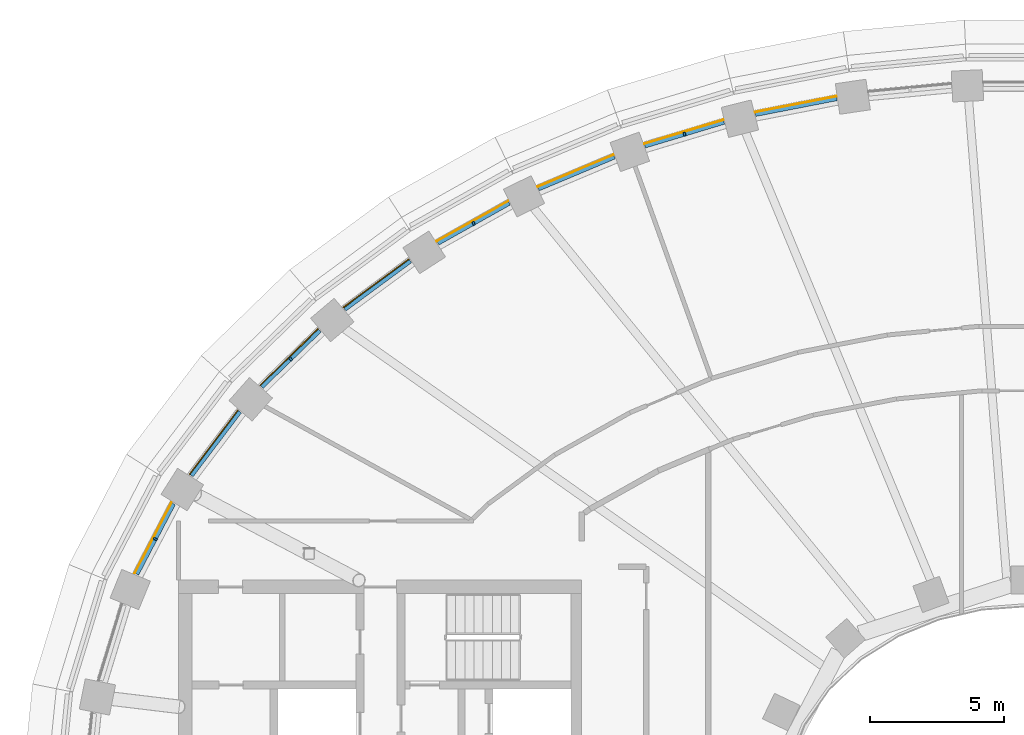
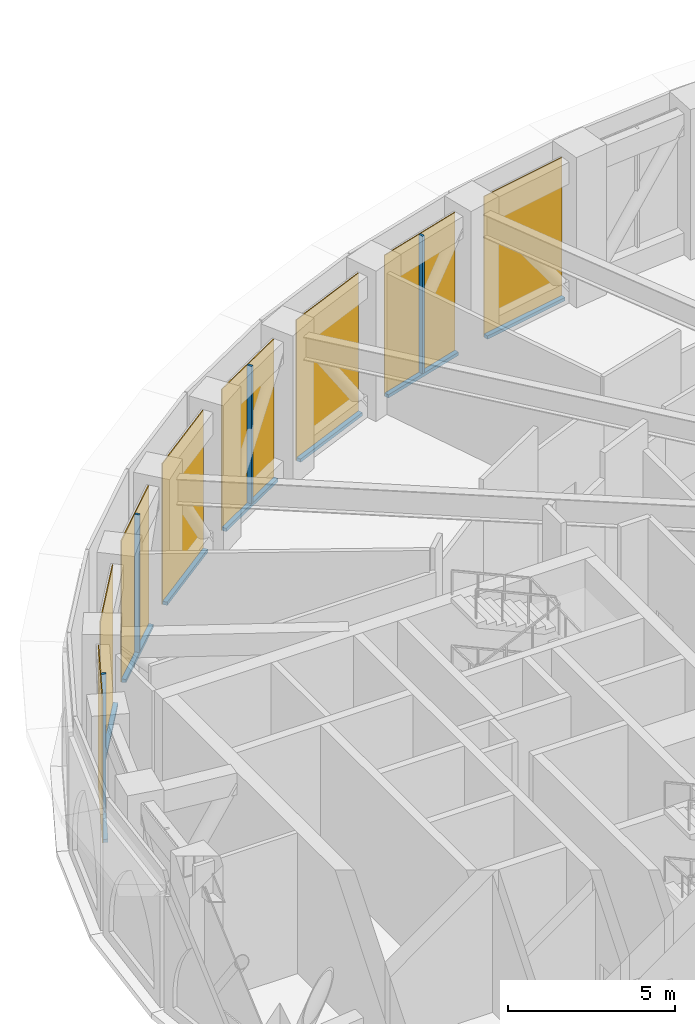
# One storey, part 16 of 25: 12 members, 8 curtain walls.
"""IFC4 building model written with IfcOpenShell, lengths in metres."""

from ifc_helpers import new_model, si_unit, direction, frame, origin, origin_2d, place, context, subcontext, project, spatial, polyline, rectangle, outline, extrude, material, layer, layer_set, material_profile, profile_set, type_object, element, aggregate, save


model = new_model("IFC4")

# Units and contexts
model_context = context("Model", 3, precision=1e-05, world=origin(), true_north=direction((0.0, 1.0)))
body_context = subcontext(model_context, "Body", "Model", "MODEL_VIEW")
ifc_project = project(units=[si_unit("LENGTHUNIT", "METRE"), si_unit("AREAUNIT", "SQUARE_METRE"), si_unit("VOLUMEUNIT", "CUBIC_METRE"), si_unit("PLANEANGLEUNIT", "RADIAN"), si_unit("MASSUNIT", "GRAM", prefix="KILO")], contexts=[model_context])

# Member
ifc_material_1 = material(Name="Aluminium 6063-T6 black anodised", Category="aluminium")
ifc_material_profile = material_profile(ifc_material_1, rectangle(XDim=0.14990234375, YDim=0.080078125, at=origin_2d()), Name="150x80")
ifc_profile_set = profile_set([ifc_material_profile], Name="Aluminium 6063-T6 black anodised")
member_type_1 = type_object("IfcMemberType", Name="ENV-MULLION-B-150", PredefinedType="MULLION", material=ifc_profile_set)
site_placement = place(None, origin())
building_placement = place(site_placement, origin())
storey_placement = place(building_placement, frame((0.0, 0.0, 198.0)))
member_1_placement = place(storey_placement, frame((-12.673828125, 25.098388671875, 0.1201171875), z_axis=(0.0, 0.0, 1.0), x_axis=(0.28817445525, -0.957577925467, 0.0)))
member_1 = element("IfcMember", 1, at=member_1_placement, type_object=member_type_1, Name="Mullion B chord 15", PredefinedType="MULLION", context=body_context, shape_type="SweptSolid", body=[
    extrude(rectangle(XDim=0.14990234375, YDim=0.080078125, at=origin_2d()), origin(), (0.0, 0.0, 1.0), 5.02978515625),
])

member_2_placement = place(storey_placement, frame((-20.525634765625, 21.780029296875, 0.1201171875), z_axis=(0.0, 0.0, 1.0), x_axis=(0.48942643941, -0.872044586249, 0.0)))
member_2 = element("IfcMember", 2, at=member_2_placement, type_object=member_type_1, Name="Mullion B chord 17", PredefinedType="MULLION", context=body_context, shape_type="SweptSolid", body=[
    extrude(rectangle(XDim=0.14990234375, YDim=0.080078125, at=origin_2d()), origin(), (0.0, 0.0, 1.0), 5.02978515625),
])

member_3_placement = place(storey_placement, frame((-27.3310546875, 16.73583984375, 0.1201171875), z_axis=(0.0, 0.0, 1.0), x_axis=(0.696842125038, -0.717224548362, 0.0)))
member_3 = element("IfcMember", 3, at=member_3_placement, type_object=member_type_1, Name="Mullion B chord 19", PredefinedType="MULLION", context=body_context, shape_type="SweptSolid", body=[
    extrude(rectangle(XDim=0.14990234375, YDim=0.080078125, at=origin_2d()), origin(), (0.0, 0.0, 1.0), 5.02978515625),
])

member_4_placement = place(storey_placement, frame((-32.37353515625, 10.029541015625, 0.1201171875), z_axis=(0.0, 0.0, 1.0), x_axis=(0.88673501754, -0.462278064231, 0.0)))
member_4 = element("IfcMember", 4, at=member_4_placement, type_object=member_type_1, Name="Mullion B chord 21", PredefinedType="MULLION", context=body_context, shape_type="SweptSolid", body=[
    extrude(rectangle(XDim=0.14990234375, YDim=0.080078125, at=origin_2d()), origin(), (0.0, 0.0, 1.0), 5.02978515625),
])

ifc_material_2 = material(Name="Aluminium 6063-T6 black anodised", Category="aluminium")
member_type_2 = type_object("IfcMemberType", Name="ENV-TRANSOM-B", PredefinedType="USERDEFINED", material=ifc_material_2)
member_5_placement = place(storey_placement, origin())
member_5 = element("IfcMember", 5, at=member_5_placement, type_object=member_type_2, Name="Transom B radial 14-15", ObjectType="TRANSOM", PredefinedType="USERDEFINED", context=body_context, shape_type="SweptSolid", body=[
    extrude(outline(polyline([(-7.017333984375, 26.492919921875), (-10.049560546875, 25.9033203125), (-10.013427734375, 25.757568359375), (-6.995849609375, 26.34423828125), (-7.017333984375, 26.492919921875)])), origin(), (0.0, 0.0, 1.0), 0.1201171875),
])

member_6_placement = place(storey_placement, origin())
member_6 = element("IfcMember", 6, at=member_6_placement, type_object=member_type_2, Name="Transom B radial 15-16", ObjectType="TRANSOM", PredefinedType="USERDEFINED", context=body_context, shape_type="SweptSolid", body=[
    extrude(outline(polyline([(-11.218994140625, 25.614501953125), (-14.17041015625, 24.726318359375), (-14.11962890625, 24.5849609375), (-11.18310546875, 25.46875), (-11.218994140625, 25.614501953125)])), origin(), (0.0, 0.0, 1.0), 0.1201171875),
])

member_7_placement = place(storey_placement, origin())
member_7 = element("IfcMember", 7, at=member_7_placement, type_object=member_type_2, Name="Transom B radial 16-17", ObjectType="TRANSOM", PredefinedType="USERDEFINED", context=body_context, shape_type="SweptSolid", body=[
    extrude(outline(polyline([(-15.306884765625, 24.317626953125), (-18.138916015625, 23.126708984375), (-18.072998046875, 22.99169921875), (-15.256103515625, 24.17626953125), (-15.306884765625, 24.317626953125)])), origin(), (0.0, 0.0, 1.0), 0.1201171875),
])

member_8_placement = place(storey_placement, origin())
member_8 = element("IfcMember", 8, at=member_8_placement, type_object=member_type_2, Name="Transom B radial 17-18", ObjectType="TRANSOM", PredefinedType="USERDEFINED", context=body_context, shape_type="SweptSolid", body=[
    extrude(outline(polyline([(-19.227294921875, 22.594482421875), (-21.894775390625, 21.097412109375), (-21.813232421875, 20.97119140625), (-19.161376953125, 22.459716796875), (-19.227294921875, 22.594482421875)])), origin(), (0.0, 0.0, 1.0), 0.1201171875),
])

member_9_placement = place(storey_placement, origin())
member_9 = element("IfcMember", 9, at=member_9_placement, type_object=member_type_2, Name="Transom B radial 18-19", ObjectType="TRANSOM", PredefinedType="USERDEFINED", context=body_context, shape_type="SweptSolid", body=[
    extrude(outline(polyline([(-22.916748046875, 20.43798828125), (-25.36572265625, 18.634033203125), (-25.2685546875, 18.519287109375), (-22.835205078125, 20.3115234375), (-22.916748046875, 20.43798828125)])), origin(), (0.0, 0.0, 1.0), 0.1201171875),
])

member_10_placement = place(storey_placement, origin())
member_10 = element("IfcMember", 10, at=member_10_placement, type_object=member_type_2, Name="Transom B radial 19-20", ObjectType="TRANSOM", PredefinedType="USERDEFINED", context=body_context, shape_type="SweptSolid", body=[
    extrude(outline(polyline([(-26.298583984375, 17.843505859375), (-28.465087890625, 15.73876953125), (-28.352294921875, 15.63916015625), (-26.201416015625, 17.728759765625), (-26.298583984375, 17.843505859375)])), origin(), (0.0, 0.0, 1.0), 0.1201171875),
])

member_11_placement = place(storey_placement, origin())
member_11 = element("IfcMember", 11, at=member_11_placement, type_object=member_type_2, Name="Transom B radial 20-21", ObjectType="TRANSOM", PredefinedType="USERDEFINED", context=body_context, shape_type="SweptSolid", body=[
    extrude(outline(polyline([(-29.280029296875, 14.8173828125), (-31.08984375, 12.429443359375), (-30.962646484375, 12.34912109375), (-29.16748046875, 14.717529296875), (-29.280029296875, 14.8173828125)])), origin(), (0.0, 0.0, 1.0), 0.1201171875),
])

member_12_placement = place(storey_placement, origin())
member_12 = element("IfcMember", 12, at=member_12_placement, type_object=member_type_2, Name="Transom B radial 21-22", ObjectType="TRANSOM", PredefinedType="USERDEFINED", context=body_context, shape_type="SweptSolid", body=[
    extrude(outline(polyline([(-31.752197265625, 11.38330078125), (-33.125732421875, 8.748779296875), (-32.986328125, 8.69189453125), (-31.625, 11.302978515625), (-31.752197265625, 11.38330078125)])), origin(), (0.0, 0.0, 1.0), 0.1201171875),
])

# Site, building, storey
site = spatial("IfcSite", under=ifc_project, at=site_placement, CompositionType="ELEMENT")
building = spatial("IfcBuilding", under=site, at=building_placement, Name="Noorbagh Ring Tower", CompositionType="ELEMENT")
storey = spatial("IfcBuildingStorey", under=building, at=storey_placement, Name="L46", CompositionType="ELEMENT", Elevation=198.0)

# Curtain wall
ifc_material_3 = material(Name="Glass dark tinted laminated", Category="glass")
ifc_layer = layer(ifc_material_3, 0.031982421875)
ifc_layer_set = layer_set([ifc_layer], Name="Glass dark tinted laminated")
curtain_wall_type = type_object("IfcCurtainWallType", Name="ENV-CW-B", PredefinedType="NOTDEFINED", material=ifc_layer_set)
curtain_wall_1_placement = place(storey_placement, origin())
curtain_wall_1 = element("IfcCurtainWall", 13, at=curtain_wall_1_placement, inside=storey, type_object=curtain_wall_type, Name="Curtain wall B R14", PredefinedType="NOTDEFINED", context=body_context, shape_type="SweptSolid", body=[
    extrude(outline(polyline([(-7.021728515625, 26.524658203125), (-10.05712890625, 25.9345703125), (-10.049560546875, 25.9033203125), (-7.017333984375, 26.492919921875), (-7.021728515625, 26.524658203125)])), origin(), (0.0, 0.0, 1.0), 5.14990234375),
])

aggregate(curtain_wall_1, [member_5])

curtain_wall_2_placement = place(storey_placement, origin())
curtain_wall_2 = element("IfcCurtainWall", 14, at=curtain_wall_2_placement, inside=storey, type_object=curtain_wall_type, Name="Curtain wall B R15", PredefinedType="NOTDEFINED", context=body_context, shape_type="SweptSolid", body=[
    extrude(outline(polyline([(-11.226806640625, 25.6455078125), (-14.181396484375, 24.756591796875), (-14.17041015625, 24.726318359375), (-11.218994140625, 25.614501953125), (-11.226806640625, 25.6455078125)])), origin(), (0.0, 0.0, 1.0), 5.14990234375),
])

aggregate(curtain_wall_2, [member_1, member_6])

curtain_wall_3_placement = place(storey_placement, origin())
curtain_wall_3 = element("IfcCurtainWall", 15, at=curtain_wall_3_placement, inside=storey, type_object=curtain_wall_type, Name="Curtain wall B R16", PredefinedType="NOTDEFINED", context=body_context, shape_type="SweptSolid", body=[
    extrude(outline(polyline([(-15.317626953125, 24.347900390625), (-18.153076171875, 23.155517578125), (-18.138916015625, 23.126708984375), (-15.306884765625, 24.317626953125), (-15.317626953125, 24.347900390625)])), origin(), (0.0, 0.0, 1.0), 5.14990234375),
])

aggregate(curtain_wall_3, [member_7])

curtain_wall_4_placement = place(storey_placement, origin())
curtain_wall_4 = element("IfcCurtainWall", 16, at=curtain_wall_4_placement, inside=storey, type_object=curtain_wall_type, Name="Curtain wall B R17", PredefinedType="NOTDEFINED", context=body_context, shape_type="SweptSolid", body=[
    extrude(outline(polyline([(-19.2412109375, 22.623291015625), (-21.912109375, 21.12451171875), (-21.894775390625, 21.097412109375), (-19.227294921875, 22.594482421875), (-19.2412109375, 22.623291015625)])), origin(), (0.0, 0.0, 1.0), 5.14990234375),
])

aggregate(curtain_wall_4, [member_2, member_8])

curtain_wall_5_placement = place(storey_placement, origin())
curtain_wall_5 = element("IfcCurtainWall", 17, at=curtain_wall_5_placement, inside=storey, type_object=curtain_wall_type, Name="Curtain wall B R18", PredefinedType="NOTDEFINED", context=body_context, shape_type="SweptSolid", body=[
    extrude(outline(polyline([(-22.93408203125, 20.46484375), (-25.386474609375, 18.658447265625), (-25.36572265625, 18.634033203125), (-22.916748046875, 20.43798828125), (-22.93408203125, 20.46484375)])), origin(), (0.0, 0.0, 1.0), 5.14990234375),
])

aggregate(curtain_wall_5, [member_9])

curtain_wall_6_placement = place(storey_placement, origin())
curtain_wall_6 = element("IfcCurtainWall", 18, at=curtain_wall_6_placement, inside=storey, type_object=curtain_wall_type, Name="Curtain wall B R19", PredefinedType="NOTDEFINED", context=body_context, shape_type="SweptSolid", body=[
    extrude(outline(polyline([(-26.319580078125, 17.867919921875), (-28.489013671875, 15.760009765625), (-28.465087890625, 15.73876953125), (-26.298583984375, 17.843505859375), (-26.319580078125, 17.867919921875)])), origin(), (0.0, 0.0, 1.0), 5.14990234375),
])

aggregate(curtain_wall_6, [member_3, member_10])

curtain_wall_7_placement = place(storey_placement, origin())
curtain_wall_7 = element("IfcCurtainWall", 19, at=curtain_wall_7_placement, inside=storey, type_object=curtain_wall_type, Name="Curtain wall B R20", PredefinedType="NOTDEFINED", context=body_context, shape_type="SweptSolid", body=[
    extrude(outline(polyline([(-29.30419921875, 14.83837890625), (-31.116943359375, 12.44677734375), (-31.08984375, 12.429443359375), (-29.280029296875, 14.8173828125), (-29.30419921875, 14.83837890625)])), origin(), (0.0, 0.0, 1.0), 5.14990234375),
])

aggregate(curtain_wall_7, [member_11])

curtain_wall_8_placement = place(storey_placement, origin())
curtain_wall_8 = element("IfcCurtainWall", 20, at=curtain_wall_8_placement, inside=storey, type_object=curtain_wall_type, Name="Curtain wall B R21", PredefinedType="NOTDEFINED", context=body_context, shape_type="SweptSolid", body=[
    extrude(outline(polyline([(-31.779296875, 11.400634765625), (-33.155517578125, 8.760986328125), (-33.125732421875, 8.748779296875), (-31.752197265625, 11.38330078125), (-31.779296875, 11.400634765625)])), origin(), (0.0, 0.0, 1.0), 5.14990234375),
])

aggregate(curtain_wall_8, [member_4, member_12])

save(model, "model.ifc")
